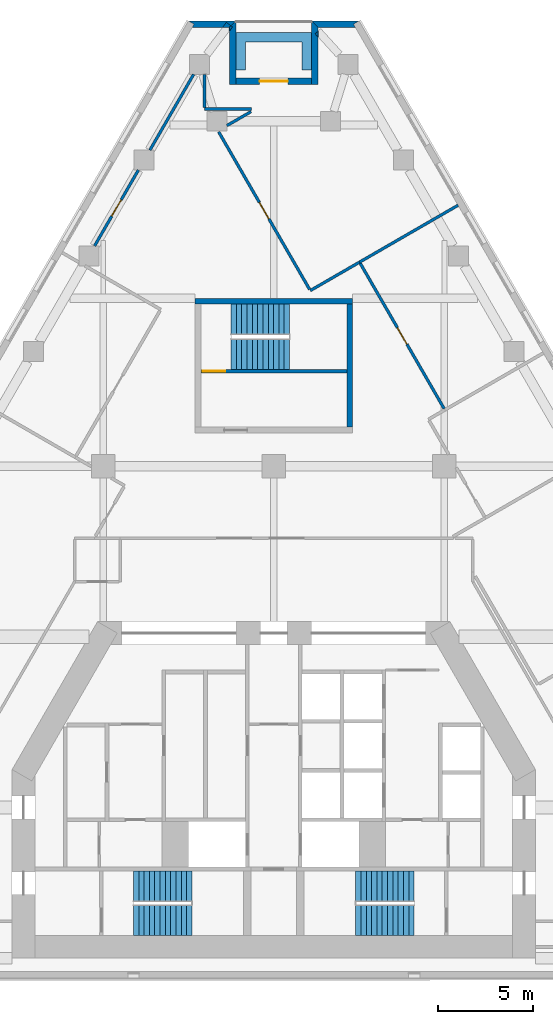
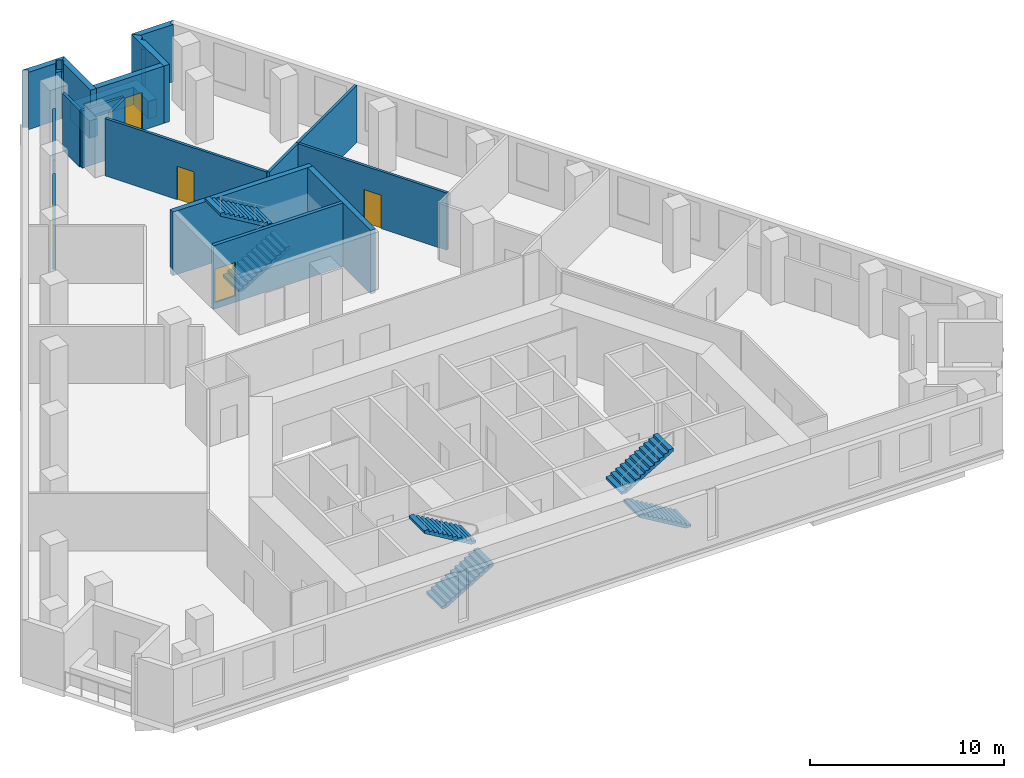
# One storey, part 8 of 9: 21 walls, 6 stair flights, 5 doors, 5 openings, 3 elements without a shape of their own.
"""IFC4 building model written with IfcOpenShell, lengths in metres."""

from ifc_helpers import new_model, si_unit, direction, frame, frame_2d, origin, place, context, subcontext, project, spatial, polyline, rectangle, outline, extrude, material, layer, layer_set, type_object, element, fill, aggregate, save


model = new_model("IFC4")

# Units and contexts
model_context = context("Model", 3, precision=1e-05, world=origin(), true_north=direction((0.0, 1.0)))
body_context = subcontext(model_context, "Body", "Model", "MODEL_VIEW")
ifc_project = project(units=[si_unit("LENGTHUNIT", "METRE"), si_unit("AREAUNIT", "SQUARE_METRE"), si_unit("VOLUMEUNIT", "CUBIC_METRE"), si_unit("PLANEANGLEUNIT", "RADIAN"), si_unit("MASSUNIT", "GRAM", prefix="KILO")], contexts=[model_context])

# Site, building, storey
site_placement = place(None, origin())
site = spatial("IfcSite", under=ifc_project, at=site_placement, CompositionType="ELEMENT")
building_placement = place(site_placement, origin())
building = spatial("IfcBuilding", under=site, at=building_placement, Name="Fogline Exchange Tower", CompositionType="ELEMENT")
storey_placement = place(building_placement, frame((0.0, 0.0, 142.89990234375)))
storey = spatial("IfcBuildingStorey", under=building, at=storey_placement, Name="L31", CompositionType="ELEMENT", Elevation=142.89990234375)

# Wall, opening, door
ifc_material_1 = material(Name="Concrete C40", Category="concrete")
ifc_layer_1 = layer(ifc_material_1, 0.199951171875)
ifc_layer_set_1 = layer_set([ifc_layer_1], Name="CW20R")
wall_type_1 = type_object("IfcWallType", Name="CW20R", PredefinedType="SOLIDWALL", material=ifc_layer_set_1)
wall_1_placement = place(storey_placement, frame((-3.85009765625, 32.007080078125, -0.39990234375), z_axis=(0.0, 0.0, 1.0), x_axis=(1.0, 0.0, 0.0)))
wall_1 = element("IfcWall", 1, at=wall_1_placement, inside=storey, type_object=wall_type_1, Name="Stair enclosure wall ST3", PredefinedType="SOLIDWALL", context=body_context, shape_type="SweptSolid", body=[
    extrude(rectangle(XDim=7.7001953125, YDim=0.199951171875, at=frame_2d((3.85009765625, 0.0))), origin(), (0.0, 0.0, 1.0), 4.0),
])
opening_1_placement = place(wall_1_placement, frame((0.10009765625, 0.0, 0.39990234375)))
opening_1 = element("IfcOpeningElement", 2, at=opening_1_placement, cuts=wall_1, Name="Opening T10-C023", PredefinedType="OPENING", context=body_context, shape_type="SweptSolid", body=[
    extrude(rectangle(XDim=1.199951171875, YDim=2.10009765625, at=frame_2d((0.60009765625, 1.050048828125))), frame((0.0, 0.10986328125, 0.0), z_axis=(0.0, -1.0, 0.0), x_axis=(1.0, 0.0, 0.0)), (0.0, 0.0, 1.0), 0.219970703125),
])
ifc_material_2 = material(Name="Steel and timber fire door", Category="steel")
door_type_1 = type_object("IfcDoorType", Name="D-ST1", OperationType="SINGLE_SWING_LEFT", PredefinedType="DOOR", material=ifc_material_2)
door_1_placement = place(opening_1_placement, origin())
door_1 = element("IfcDoor", 3, at=door_1_placement, inside=storey, type_object=door_type_1, Name="Stair door ST3", OperationType="SINGLE_SWING_LEFT", OverallHeight=2.10009765625, OverallWidth=1.199951171875, PredefinedType="DOOR", context=body_context, shape_type="SweptSolid", body=[
    extrude(rectangle(XDim=1.199951171875, YDim=2.10009765625, at=frame_2d((0.60009765625, 1.050048828125))), frame((0.0, 0.02490234375, 0.0), z_axis=(0.0, -1.0, 0.0), x_axis=(1.0, 0.0, 0.0)), (0.0, 0.0, 1.0), 0.050048828125),
])
fill(opening_1, door_1)

# Walls
ifc_layer_2 = layer(ifc_material_1, 0.300048828125)
ifc_layer_set_2 = layer_set([ifc_layer_2], Name="CW30")
wall_type_2 = type_object("IfcWallType", Name="CW30", PredefinedType="SOLIDWALL", material=ifc_layer_set_2)
wall_2_placement = place(storey_placement, frame((-4.14990234375, 35.70703125, -0.39990234375), z_axis=(0.0, 0.0, 1.0), x_axis=(1.0, 0.0, 0.0)))
element("IfcWall", 4, at=wall_2_placement, inside=storey, type_object=wall_type_2, Name="Stair enclosure wall ST3", PredefinedType="SOLIDWALL", context=body_context, shape_type="SweptSolid", body=[
    extrude(rectangle(XDim=8.2998046875, YDim=0.300048828125, at=frame_2d((4.14990234375, 0.0))), origin(), (0.0, 0.0, 1.0), 4.0),
])
wall_3_placement = place(storey_placement, frame((4.0, 29.056884765625, -0.39990234375), z_axis=(0.0, 0.0, 1.0), x_axis=(0.0, 1.0, 0.0)))
element("IfcWall", 5, at=wall_3_placement, inside=storey, type_object=wall_type_2, Name="Stair enclosure wall ST3", PredefinedType="SOLIDWALL", context=body_context, shape_type="SweptSolid", body=[
    extrude(rectangle(XDim=6.5, YDim=0.300048828125, at=frame_2d((3.25, 0.0))), origin(), (0.0, 0.0, 1.0), 4.0),
])
ifc_material_3 = material(Name="Brick masonry", Category="masonry")
ifc_layer_3 = layer(ifc_material_3, 0.340087890625)
ifc_layer_set_3 = layer_set([ifc_layer_3], Name="FW1")
wall_type_3 = type_object("IfcWallType", Name="FW1", PredefinedType="SOLIDWALL", material=ifc_layer_set_3)
wall_4_placement = place(storey_placement, origin())
element("IfcWall", 6, at=wall_4_placement, inside=storey, type_object=wall_type_3, Name="Brick wall L31 N-c1", PredefinedType="SOLIDWALL", context=body_context, shape_type="SweptSolid", body=[
    extrude(outline(polyline([(1.9990234375, 50.4873046875), (4.5009765625, 50.4873046875), (4.501220703125, 50.486572265625), (4.206298828125, 50.31640625), (4.3046875, 50.14599609375), (2.33984375, 50.14599609375), (1.998779296875, 50.487060546875), (1.9990234375, 50.4873046875)])), origin(), (0.0, 0.0, 1.0), 3.60009765625),
])
wall_5_placement = place(storey_placement, origin())
element("IfcWall", 7, at=wall_5_placement, inside=storey, type_object=wall_type_3, Name="Brick wall L31 N-s1", PredefinedType="SOLIDWALL", context=body_context, shape_type="SweptSolid", body=[
    extrude(outline(polyline([(2.340576171875, 49.641845703125), (2.18798828125, 49.81005859375), (2.340576171875, 49.948486328125), (2.340576171875, 49.641845703125)])), origin(), (0.0, 0.0, 1.0), 3.0),
])
wall_6_placement = place(storey_placement, origin())
element("IfcWall", 8, at=wall_6_placement, inside=storey, type_object=wall_type_3, Name="Brick wall L31 N-s1", PredefinedType="SOLIDWALL", context=body_context, shape_type="SweptSolid", body=[
    extrude(outline(polyline([(1.99951171875, 47.14599609375), (1.99951171875, 50.48779296875), (1.999755859375, 50.48779296875), (2.340576171875, 50.14697265625), (2.340576171875, 49.948486328125), (2.18798828125, 49.81005859375), (2.340576171875, 49.641845703125), (2.340576171875, 47.14599609375), (1.99951171875, 47.14599609375)])), origin(), (0.0, 0.0, 1.0), 3.60009765625),
])

# Wall, opening, door
wall_7_placement = place(storey_placement, frame((2.0, 47.316650390625, 0.0), z_axis=(0.0, 0.0, 1.0), x_axis=(-1.0, 0.0, 0.0)))
wall_7 = element("IfcWall", 9, at=wall_7_placement, inside=storey, type_object=wall_type_3, Name="Brick wall L31 N-bk", PredefinedType="SOLIDWALL", context=body_context, shape_type="SweptSolid", body=[
    extrude(rectangle(XDim=4.0, YDim=0.340087890625, at=frame_2d((2.0, 0.0))), origin(), (0.0, 0.0, 1.0), 3.60009765625),
])
opening_2_placement = place(wall_7_placement, frame((1.25, 0.0, 0.0)))
opening_2 = element("IfcOpeningElement", 10, at=opening_2_placement, cuts=wall_7, Name="Opening T10-E141", PredefinedType="OPENING", context=body_context, shape_type="SweptSolid", body=[
    extrude(rectangle(XDim=1.5, YDim=2.39990234375, at=frame_2d((0.75, 1.199951171875))), frame((0.0, 0.18017578125, 0.0), z_axis=(0.0, -1.0, 0.0), x_axis=(1.0, 0.0, 0.0)), (0.0, 0.0, 1.0), 0.360107421875),
])
ifc_material_4 = material(Name="Aluminium and glass", Category="aluminium")
door_type_2 = type_object("IfcDoorType", Name="ED4", OperationType="SINGLE_SWING_LEFT", PredefinedType="DOOR", material=ifc_material_4)
door_2_placement = place(opening_2_placement, frame((1.5, 0.0, 0.0), z_axis=(0.0, 0.0, 1.0), x_axis=(-1.0, 0.0, 0.0)))
door_2 = element("IfcDoor", 11, at=door_2_placement, inside=storey, type_object=door_type_2, Name="Balcony door L31 N", OperationType="DOUBLE_DOOR_SINGLE_SWING", OverallHeight=2.39990234375, OverallWidth=1.5, PredefinedType="DOOR", context=body_context, shape_type="SweptSolid", body=[
    extrude(rectangle(XDim=1.5, YDim=2.39990234375, at=frame_2d((0.75, 1.199951171875))), frame((0.0, 0.02490234375, 0.0), z_axis=(0.0, -1.0, 0.0), x_axis=(1.0, 0.0, 0.0)), (0.0, 0.0, 1.0), 0.050048828125),
])
fill(opening_2, door_2)

# Walls
wall_8_placement = place(storey_placement, origin())
element("IfcWall", 12, at=wall_8_placement, inside=storey, type_object=wall_type_3, Name="Brick wall L31 N-s2", PredefinedType="SOLIDWALL", context=body_context, shape_type="SweptSolid", body=[
    extrude(outline(polyline([(-2.340576171875, 50.14697265625), (-2.258056640625, 50.2294921875), (-2.180419921875, 50.170654296875), (-2.340576171875, 49.958740234375), (-2.340576171875, 50.14697265625)])), origin(), (0.0, 0.0, 1.0), 3.0),
])
wall_9_placement = place(storey_placement, origin())
element("IfcWall", 13, at=wall_9_placement, inside=storey, type_object=wall_type_3, Name="Brick wall L31 N-s2", PredefinedType="SOLIDWALL", context=body_context, shape_type="SweptSolid", body=[
    extrude(outline(polyline([(-1.99951171875, 47.14599609375), (-2.340576171875, 47.14599609375), (-2.340576171875, 49.958740234375), (-2.180419921875, 50.170654296875), (-2.258056640625, 50.2294921875), (-1.999755859375, 50.48779296875), (-1.99951171875, 50.48779296875), (-1.99951171875, 47.14599609375)])), origin(), (0.0, 0.0, 1.0), 3.60009765625),
])
wall_10_placement = place(storey_placement, origin())
element("IfcWall", 14, at=wall_10_placement, inside=storey, type_object=wall_type_3, Name="Brick wall L31 N-c2", PredefinedType="SOLIDWALL", context=body_context, shape_type="SweptSolid", body=[
    extrude(outline(polyline([(-2.33984375, 50.14599609375), (-2.700439453125, 50.14599609375), (-2.49951171875, 50.411865234375), (-2.257080078125, 50.228759765625), (-2.33984375, 50.14599609375)])), origin(), (0.0, 0.0, 1.0), 3.0),
])
wall_11_placement = place(storey_placement, origin())
element("IfcWall", 15, at=wall_11_placement, inside=storey, type_object=wall_type_3, Name="Brick wall L31 N-c2", PredefinedType="SOLIDWALL", context=body_context, shape_type="SweptSolid", body=[
    extrude(outline(polyline([(-4.206298828125, 50.31640625), (-4.501220703125, 50.486572265625), (-4.5009765625, 50.4873046875), (-1.9990234375, 50.4873046875), (-1.998779296875, 50.487060546875), (-2.257080078125, 50.228759765625), (-2.49951171875, 50.411865234375), (-2.700439453125, 50.14599609375), (-4.3046875, 50.14599609375), (-4.206298828125, 50.31640625)])), origin(), (0.0, 0.0, 1.0), 3.60009765625),
])
ifc_material_5 = material(Name="Concrete C30", Category="concrete")
ifc_layer_4 = layer(ifc_material_5, 0.199951171875)
ifc_layer_set_4 = layer_set([ifc_layer_4], Name="PL1")
wall_type_4 = type_object("IfcWallType", Name="PL1", PredefinedType="USERDEFINED", material=ifc_layer_set_4)
wall_12_placement = place(storey_placement, origin())
element("IfcWall", 16, at=wall_12_placement, inside=storey, type_object=wall_type_4, Name="PLANTER balcony L31 N", ObjectType="PLANTER", PredefinedType="USERDEFINED", context=body_context, shape_type="SweptSolid", body=[
    extrude(outline(polyline([(-1.5, 49.88671875), (-2.0, 49.88671875), (-2.0, 49.38671875), (-2.0, 47.88671875), (-1.5, 47.88671875), (-1.5, 49.38671875), (1.5, 49.38671875), (1.5, 47.88671875), (2.0, 47.88671875), (2.0, 49.38671875), (2.0, 49.88671875), (1.5, 49.88671875), (-1.5, 49.88671875)])), origin(), (0.0, 0.0, 1.0), 1.10009765625),
])
ifc_material_6 = material(Name="Plasterboard demising partition with mineral wool and acoustic board")
ifc_layer_5 = layer(ifc_material_6, 0.14990234375)
ifc_layer_set_5 = layer_set([ifc_layer_5], Name="PW3")
wall_type_5 = type_object("IfcWallType", Name="PW3", PredefinedType="PARTITIONING", material=ifc_layer_set_5)
wall_13_placement = place(storey_placement, frame((4.5244140625, 37.76416015625, 0.0), z_axis=(0.0, 0.0, 1.0), x_axis=(0.866031096941, 0.499990139034, 0.0)))
element("IfcWall", 17, at=wall_13_placement, inside=storey, type_object=wall_type_5, Name="wall-L31-W023", PredefinedType="PARTITIONING", context=body_context, shape_type="SweptSolid", body=[
    extrude(rectangle(XDim=6.0, YDim=0.14990234375, at=frame_2d((3.0, 0.0))), origin(), (0.0, 0.0, 1.0), 3.60009765625),
])

# Wall, opening, door
wall_14_placement = place(storey_placement, frame((8.987060546875, 30.034912109375, 0.0), z_axis=(0.0, 0.0, 1.0), x_axis=(-0.500005027614, 0.86602250107, 0.0)))
wall_14 = element("IfcWall", 18, at=wall_14_placement, inside=storey, type_object=wall_type_5, Name="wall-L31-W024", PredefinedType="PARTITIONING", context=body_context, shape_type="SweptSolid", body=[
    extrude(rectangle(XDim=8.85009765625, YDim=0.14990234375, at=frame_2d((4.425048828125, 0.0))), origin(), (0.0, 0.0, 1.0), 3.60009765625),
])
opening_3_placement = place(wall_14_placement, frame((3.925048828125, 0.0, 0.0)))
opening_3 = element("IfcOpeningElement", 19, at=opening_3_placement, cuts=wall_14, Name="Opening T10-D008", PredefinedType="OPENING", context=body_context, shape_type="SweptSolid", body=[
    extrude(rectangle(XDim=1.0, YDim=2.10009765625, at=frame_2d((0.5, 1.050048828125))), frame((0.0, 0.0849609375, 0.0), z_axis=(0.0, -1.0, 0.0), x_axis=(1.0, 0.0, 0.0)), (0.0, 0.0, 1.0), 0.169921875),
])
ifc_material_7 = material(Name="Fire-rated timber door leaf with steel frame", Category="steel")
door_type_3 = type_object("IfcDoorType", Name="D3", OperationType="SINGLE_SWING_LEFT", PredefinedType="DOOR", material=ifc_material_7)
door_3_placement = place(opening_3_placement, frame((1.0, 0.0, 0.0), z_axis=(0.0, 0.0, 1.0), x_axis=(-1.0, 0.0, 0.0)))
door_3 = element("IfcDoor", 20, at=door_3_placement, inside=storey, type_object=door_type_3, Name="door-L31-D008", OperationType="SINGLE_SWING_RIGHT", OverallHeight=2.10009765625, OverallWidth=1.0, PredefinedType="DOOR", context=body_context, shape_type="SweptSolid", body=[
    extrude(rectangle(XDim=1.0, YDim=2.10009765625, at=frame_2d((0.5, 1.050048828125))), frame((0.0, 0.02490234375, 0.0), z_axis=(0.0, -1.0, 0.0), x_axis=(1.0, 0.0, 0.0)), (0.0, 0.0, 1.0), 0.050048828125),
])
fill(opening_3, door_3)

# Wall
wall_15_placement = place(storey_placement, frame((4.5244140625, 37.76416015625, 0.0), z_axis=(0.0, 0.0, 1.0), x_axis=(-0.866010750942, -0.50002537861, 0.0)))
element("IfcWall", 21, at=wall_15_placement, inside=storey, type_object=wall_type_5, Name="wall-L31-W025", PredefinedType="PARTITIONING", context=body_context, shape_type="SweptSolid", body=[
    extrude(rectangle(XDim=2.999755859375, YDim=0.14990234375, at=frame_2d((1.5, 0.0))), origin(), (0.0, 0.0, 1.0), 3.60009765625),
])

# Wall, opening, door
wall_16_placement = place(storey_placement, frame((1.888916015625, 36.3291015625, 0.0), z_axis=(0.0, 0.0, 1.0), x_axis=(-0.499983220793, 0.866035091047, 0.0)))
wall_16 = element("IfcWall", 22, at=wall_16_placement, inside=storey, type_object=wall_type_5, Name="wall-L31-W026", PredefinedType="PARTITIONING", context=body_context, shape_type="SweptSolid", body=[
    extrude(rectangle(XDim=9.590087890625, YDim=0.14990234375, at=frame_2d((4.794921875, 0.0))), origin(), (0.0, 0.0, 1.0), 3.60009765625),
])
opening_4_placement = place(wall_16_placement, frame((4.294921875, 0.0, 0.0)))
opening_4 = element("IfcOpeningElement", 23, at=opening_4_placement, cuts=wall_16, Name="Opening T10-D009", PredefinedType="OPENING", context=body_context, shape_type="SweptSolid", body=[
    extrude(rectangle(XDim=1.0, YDim=2.10009765625, at=frame_2d((0.5, 1.050048828125))), frame((0.0, 0.0849609375, 0.0), z_axis=(0.0, -1.0, 0.0), x_axis=(1.0, 0.0, 0.0)), (0.0, 0.0, 1.0), 0.169921875),
])
door_4_placement = place(opening_4_placement, frame((1.0, 0.0, 0.0), z_axis=(0.0, 0.0, 1.0), x_axis=(-1.0, 0.0, 0.0)))
door_4 = element("IfcDoor", 24, at=door_4_placement, inside=storey, type_object=door_type_3, Name="door-L31-D009", OperationType="SINGLE_SWING_RIGHT", OverallHeight=2.10009765625, OverallWidth=1.0, PredefinedType="DOOR", context=body_context, shape_type="SweptSolid", body=[
    extrude(rectangle(XDim=1.0, YDim=2.10009765625, at=frame_2d((0.5, 1.050048828125))), frame((0.0, 0.02490234375, 0.0), z_axis=(0.0, -1.0, 0.0), x_axis=(1.0, 0.0, 0.0)), (0.0, 0.0, 1.0), 0.050048828125),
])
fill(opening_4, door_4)

# Wall
wall_17_placement = place(storey_placement, frame((-2.47509765625, 44.965576171875, 0.0), z_axis=(0.0, 0.0, 1.0), x_axis=(0.866050237424, 0.499956984408, 0.0)))
element("IfcWall", 25, at=wall_17_placement, inside=storey, type_object=wall_type_5, Name="wall-L31-W027", PredefinedType="PARTITIONING", context=body_context, shape_type="SweptSolid", body=[
    extrude(rectangle(XDim=1.471923828125, YDim=0.14990234375, at=frame_2d((0.73583984375, 0.0))), origin(), (0.0, 0.0, 1.0), 3.60009765625),
])

# Wall, opening, door
wall_18_placement = place(storey_placement, frame((-9.451171875, 38.62109375, 0.0), z_axis=(0.0, 0.0, 1.0), x_axis=(0.500004591975, 0.86602275259, 0.0)))
wall_18 = element("IfcWall", 26, at=wall_18_placement, inside=storey, type_object=wall_type_5, Name="wall-L31-W028", PredefinedType="PARTITIONING", context=body_context, shape_type="SweptSolid", body=[
    extrude(rectangle(XDim=4.619140625, YDim=0.14990234375, at=frame_2d((2.3095703125, 0.0))), origin(), (0.0, 0.0, 1.0), 2.800048828125),
])
opening_5_placement = place(wall_18_placement, frame((1.8095703125, 0.0, 0.0)))
opening_5 = element("IfcOpeningElement", 27, at=opening_5_placement, cuts=wall_18, Name="Opening T10-D010", PredefinedType="OPENING", context=body_context, shape_type="SweptSolid", body=[
    extrude(rectangle(XDim=1.0, YDim=2.10009765625, at=frame_2d((0.5, 1.050048828125))), frame((0.0, 0.0849609375, 0.0), z_axis=(0.0, -1.0, 0.0), x_axis=(1.0, 0.0, 0.0)), (0.0, 0.0, 1.0), 0.169921875),
])
door_5_placement = place(opening_5_placement, origin())
door_5 = element("IfcDoor", 28, at=door_5_placement, inside=storey, type_object=door_type_3, Name="door-L31-D010", OperationType="SINGLE_SWING_LEFT", OverallHeight=2.10009765625, OverallWidth=1.0, PredefinedType="DOOR", context=body_context, shape_type="SweptSolid", body=[
    extrude(rectangle(XDim=1.0, YDim=2.10009765625, at=frame_2d((0.5, 1.050048828125))), frame((0.0, 0.02490234375, 0.0), z_axis=(0.0, -1.0, 0.0), x_axis=(1.0, 0.0, 0.0)), (0.0, 0.0, 1.0), 0.050048828125),
])
fill(opening_5, door_5)

# Walls
wall_19_placement = place(storey_placement, frame((-6.535400390625, 43.67138671875, 0.0), z_axis=(0.0, 0.0, 1.0), x_axis=(0.500004591975, 0.86602275259, 0.0)))
element("IfcWall", 29, at=wall_19_placement, inside=storey, type_object=wall_type_5, Name="wall-L31-W029", PredefinedType="PARTITIONING", context=body_context, shape_type="SweptSolid", body=[
    extrude(rectangle(XDim=4.619140625, YDim=0.14990234375, at=frame_2d((2.3095703125, 0.0))), origin(), (0.0, 0.0, 1.0), 2.800048828125),
])
wall_20_placement = place(storey_placement, frame((-3.64501953125, 47.671630859375, 0.0), z_axis=(0.0, 0.0, 1.0), x_axis=(0.0, -1.0, 0.0)))
element("IfcWall", 30, at=wall_20_placement, inside=storey, type_object=wall_type_5, Name="wall-L31-W030", PredefinedType="PARTITIONING", context=body_context, shape_type="SweptSolid", body=[
    extrude(rectangle(XDim=1.7548828125, YDim=0.14990234375, at=frame_2d((0.87744140625, 0.0))), origin(), (0.0, 0.0, 1.0), 3.60009765625),
])
wall_21_placement = place(storey_placement, frame((-3.64501953125, 45.841796875, 0.0), z_axis=(0.0, 0.0, 1.0), x_axis=(1.0, 0.0, 0.0)))
element("IfcWall", 31, at=wall_21_placement, inside=storey, type_object=wall_type_5, Name="wall-L31-W031", PredefinedType="PARTITIONING", context=body_context, shape_type="SweptSolid", body=[
    extrude(rectangle(XDim=2.469970703125, YDim=0.14990234375, at=frame_2d((1.23486328125, 0.0))), origin(), (0.0, 0.0, 1.0), 3.60009765625),
])

# Stair, stair flights
stair_type = type_object("IfcStairType", Name="STR24-1667", PredefinedType="HALF_TURN_STAIR", material=ifc_material_1)
stair_1_placement = place(storey_placement, origin())
stair_1 = element("IfcStair", 32, at=stair_1_placement, inside=storey, type_object=stair_type, Name="Stair ST1", PredefinedType="HALF_TURN_STAIR")
stair_flight_type = type_object("IfcStairFlightType", Name="SF12-1667", PredefinedType="STRAIGHT", material=ifc_material_1)
stair_flight_1_placement = place(storey_placement, frame((-7.39990234375, 3.050048828125, 0.0), z_axis=(0.0, 0.0, 1.0), x_axis=(1.0, 0.0, 0.0)))
stair_flight_1 = element("IfcStairFlight", 33, at=stair_flight_1_placement, type_object=stair_flight_type, Name="ST1 flight 1", NumberOfRisers=12, NumberOfTreads=11, PredefinedType="STRAIGHT", RiserHeight=0.166666667, TreadLength=0.28, context=body_context, shape_type="SweptSolid", body=[
    extrude(outline(polyline([(0.0, 0.0), (0.0, 0.166748046875), (0.280029296875, 0.166748046875), (0.280029296875, 0.333251953125), (0.56005859375, 0.333251953125), (0.56005859375, 0.5), (0.840087890625, 0.5), (0.840087890625, 0.666748046875), (1.1201171875, 0.666748046875), (1.1201171875, 0.833251953125), (1.39990234375, 0.833251953125), (1.39990234375, 1.0), (1.679931640625, 1.0), (1.679931640625, 1.166748046875), (1.9599609375, 1.166748046875), (1.9599609375, 1.333251953125), (2.239990234375, 1.333251953125), (2.239990234375, 1.5), (2.52001953125, 1.5), (2.52001953125, 1.666748046875), (2.800048828125, 1.666748046875), (2.800048828125, 1.833251953125), (3.080078125, 1.833251953125), (3.080078125, 2.0), (3.080078125, 1.658935546875), (0.29296875, 0.0), (0.0, 0.0)])), frame((0.0, 0.800048828125, 0.0), z_axis=(0.0, -1.0, 0.0), x_axis=(1.0, 0.0, 0.0)), (0.0, 0.0, 1.0), 1.60009765625),
])
stair_flight_2_placement = place(storey_placement, frame((-4.320068359375, 4.85009765625, 2.0), z_axis=(0.0, 0.0, 1.0), x_axis=(-1.0, 0.0, 0.0)))
stair_flight_2 = element("IfcStairFlight", 34, at=stair_flight_2_placement, type_object=stair_flight_type, Name="ST1 flight 2", NumberOfRisers=12, NumberOfTreads=11, PredefinedType="STRAIGHT", RiserHeight=0.166666667, TreadLength=0.28, context=body_context, shape_type="SweptSolid", body=[
    extrude(outline(polyline([(0.0, 0.0), (0.0, 0.166748046875), (0.280029296875, 0.166748046875), (0.280029296875, 0.333251953125), (0.56005859375, 0.333251953125), (0.56005859375, 0.5), (0.840087890625, 0.5), (0.840087890625, 0.666748046875), (1.1201171875, 0.666748046875), (1.1201171875, 0.833251953125), (1.39990234375, 0.833251953125), (1.39990234375, 1.0), (1.679931640625, 1.0), (1.679931640625, 1.166748046875), (1.9599609375, 1.166748046875), (1.9599609375, 1.333251953125), (2.239990234375, 1.333251953125), (2.239990234375, 1.5), (2.52001953125, 1.5), (2.52001953125, 1.666748046875), (2.800048828125, 1.666748046875), (2.800048828125, 1.833251953125), (3.080078125, 1.833251953125), (3.080078125, 2.0), (3.080078125, 1.658935546875), (0.29296875, 0.0), (0.0, 0.0)])), frame((0.0, 0.800048828125, 0.0), z_axis=(0.0, -1.0, 0.0), x_axis=(1.0, 0.0, 0.0)), (0.0, 0.0, 1.0), 1.60009765625),
])
aggregate(stair_1, [stair_flight_1, stair_flight_2])

stair_2_placement = place(storey_placement, origin())
stair_2 = element("IfcStair", 35, at=stair_2_placement, inside=storey, type_object=stair_type, Name="Stair ST2", PredefinedType="HALF_TURN_STAIR")
stair_flight_3_placement = place(storey_placement, frame((7.39990234375, 3.050048828125, 0.0), z_axis=(0.0, 0.0, 1.0), x_axis=(-1.0, 0.0, 0.0)))
stair_flight_3 = element("IfcStairFlight", 36, at=stair_flight_3_placement, type_object=stair_flight_type, Name="ST2 flight 1", NumberOfRisers=12, NumberOfTreads=11, PredefinedType="STRAIGHT", RiserHeight=0.166666667, TreadLength=0.28, context=body_context, shape_type="SweptSolid", body=[
    extrude(outline(polyline([(0.0, 0.0), (0.0, 0.166748046875), (0.280029296875, 0.166748046875), (0.280029296875, 0.333251953125), (0.56005859375, 0.333251953125), (0.56005859375, 0.5), (0.840087890625, 0.5), (0.840087890625, 0.666748046875), (1.1201171875, 0.666748046875), (1.1201171875, 0.833251953125), (1.39990234375, 0.833251953125), (1.39990234375, 1.0), (1.679931640625, 1.0), (1.679931640625, 1.166748046875), (1.9599609375, 1.166748046875), (1.9599609375, 1.333251953125), (2.239990234375, 1.333251953125), (2.239990234375, 1.5), (2.52001953125, 1.5), (2.52001953125, 1.666748046875), (2.800048828125, 1.666748046875), (2.800048828125, 1.833251953125), (3.080078125, 1.833251953125), (3.080078125, 2.0), (3.080078125, 1.658935546875), (0.29296875, 0.0), (0.0, 0.0)])), frame((0.0, 0.800048828125, 0.0), z_axis=(0.0, -1.0, 0.0), x_axis=(1.0, 0.0, 0.0)), (0.0, 0.0, 1.0), 1.60009765625),
])
stair_flight_4_placement = place(storey_placement, frame((4.320068359375, 4.85009765625, 2.0), z_axis=(0.0, 0.0, 1.0), x_axis=(1.0, 0.0, 0.0)))
stair_flight_4 = element("IfcStairFlight", 37, at=stair_flight_4_placement, type_object=stair_flight_type, Name="ST2 flight 2", NumberOfRisers=12, NumberOfTreads=11, PredefinedType="STRAIGHT", RiserHeight=0.166666667, TreadLength=0.28, context=body_context, shape_type="SweptSolid", body=[
    extrude(outline(polyline([(0.0, 0.0), (0.0, 0.166748046875), (0.280029296875, 0.166748046875), (0.280029296875, 0.333251953125), (0.56005859375, 0.333251953125), (0.56005859375, 0.5), (0.840087890625, 0.5), (0.840087890625, 0.666748046875), (1.1201171875, 0.666748046875), (1.1201171875, 0.833251953125), (1.39990234375, 0.833251953125), (1.39990234375, 1.0), (1.679931640625, 1.0), (1.679931640625, 1.166748046875), (1.9599609375, 1.166748046875), (1.9599609375, 1.333251953125), (2.239990234375, 1.333251953125), (2.239990234375, 1.5), (2.52001953125, 1.5), (2.52001953125, 1.666748046875), (2.800048828125, 1.666748046875), (2.800048828125, 1.833251953125), (3.080078125, 1.833251953125), (3.080078125, 2.0), (3.080078125, 1.658935546875), (0.29296875, 0.0), (0.0, 0.0)])), frame((0.0, 0.800048828125, 0.0), z_axis=(0.0, -1.0, 0.0), x_axis=(1.0, 0.0, 0.0)), (0.0, 0.0, 1.0), 1.60009765625),
])
aggregate(stair_2, [stair_flight_3, stair_flight_4])

stair_3_placement = place(storey_placement, origin())
stair_3 = element("IfcStair", 38, at=stair_3_placement, inside=storey, type_object=stair_type, Name="Stair ST3", PredefinedType="HALF_TURN_STAIR")
stair_flight_5_placement = place(storey_placement, frame((-2.25, 32.906982421875, 0.0), z_axis=(0.0, 0.0, 1.0), x_axis=(1.0, 0.0, 0.0)))
stair_flight_5 = element("IfcStairFlight", 39, at=stair_flight_5_placement, type_object=stair_flight_type, Name="ST3 flight 1", NumberOfRisers=12, NumberOfTreads=11, PredefinedType="STRAIGHT", RiserHeight=0.166666667, TreadLength=0.28, context=body_context, shape_type="SweptSolid", body=[
    extrude(outline(polyline([(0.0, 0.0), (0.0, 0.166748046875), (0.280029296875, 0.166748046875), (0.280029296875, 0.333251953125), (0.56005859375, 0.333251953125), (0.56005859375, 0.5), (0.840087890625, 0.5), (0.840087890625, 0.666748046875), (1.1201171875, 0.666748046875), (1.1201171875, 0.833251953125), (1.39990234375, 0.833251953125), (1.39990234375, 1.0), (1.679931640625, 1.0), (1.679931640625, 1.166748046875), (1.9599609375, 1.166748046875), (1.9599609375, 1.333251953125), (2.239990234375, 1.333251953125), (2.239990234375, 1.5), (2.52001953125, 1.5), (2.52001953125, 1.666748046875), (2.800048828125, 1.666748046875), (2.800048828125, 1.833251953125), (3.080078125, 1.833251953125), (3.080078125, 2.0), (3.080078125, 1.658935546875), (0.29296875, 0.0), (0.0, 0.0)])), frame((0.0, 0.800048828125, 0.0), z_axis=(0.0, -1.0, 0.0), x_axis=(1.0, 0.0, 0.0)), (0.0, 0.0, 1.0), 1.60009765625),
])
stair_flight_6_placement = place(storey_placement, frame((0.830078125, 34.757080078125, 2.0), z_axis=(0.0, 0.0, 1.0), x_axis=(-1.0, 0.0, 0.0)))
stair_flight_6 = element("IfcStairFlight", 40, at=stair_flight_6_placement, type_object=stair_flight_type, Name="ST3 flight 2", NumberOfRisers=12, NumberOfTreads=11, PredefinedType="STRAIGHT", RiserHeight=0.166666667, TreadLength=0.28, context=body_context, shape_type="SweptSolid", body=[
    extrude(outline(polyline([(0.0, 0.0), (0.0, 0.166748046875), (0.280029296875, 0.166748046875), (0.280029296875, 0.333251953125), (0.56005859375, 0.333251953125), (0.56005859375, 0.5), (0.840087890625, 0.5), (0.840087890625, 0.666748046875), (1.1201171875, 0.666748046875), (1.1201171875, 0.833251953125), (1.39990234375, 0.833251953125), (1.39990234375, 1.0), (1.679931640625, 1.0), (1.679931640625, 1.166748046875), (1.9599609375, 1.166748046875), (1.9599609375, 1.333251953125), (2.239990234375, 1.333251953125), (2.239990234375, 1.5), (2.52001953125, 1.5), (2.52001953125, 1.666748046875), (2.800048828125, 1.666748046875), (2.800048828125, 1.833251953125), (3.080078125, 1.833251953125), (3.080078125, 2.0), (3.080078125, 1.658935546875), (0.29296875, 0.0), (0.0, 0.0)])), frame((0.0, 0.800048828125, 0.0), z_axis=(0.0, -1.0, 0.0), x_axis=(1.0, 0.0, 0.0)), (0.0, 0.0, 1.0), 1.60009765625),
])
aggregate(stair_3, [stair_flight_5, stair_flight_6])

save(model, "model.ifc")
